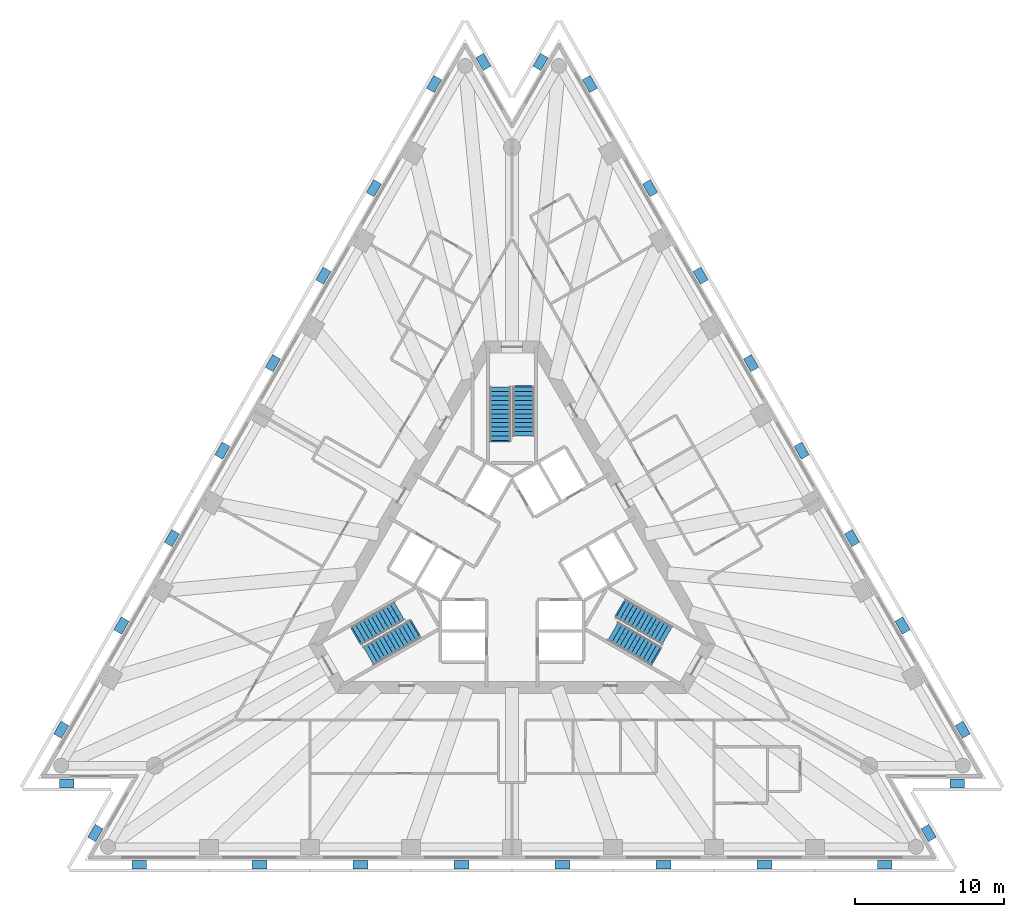
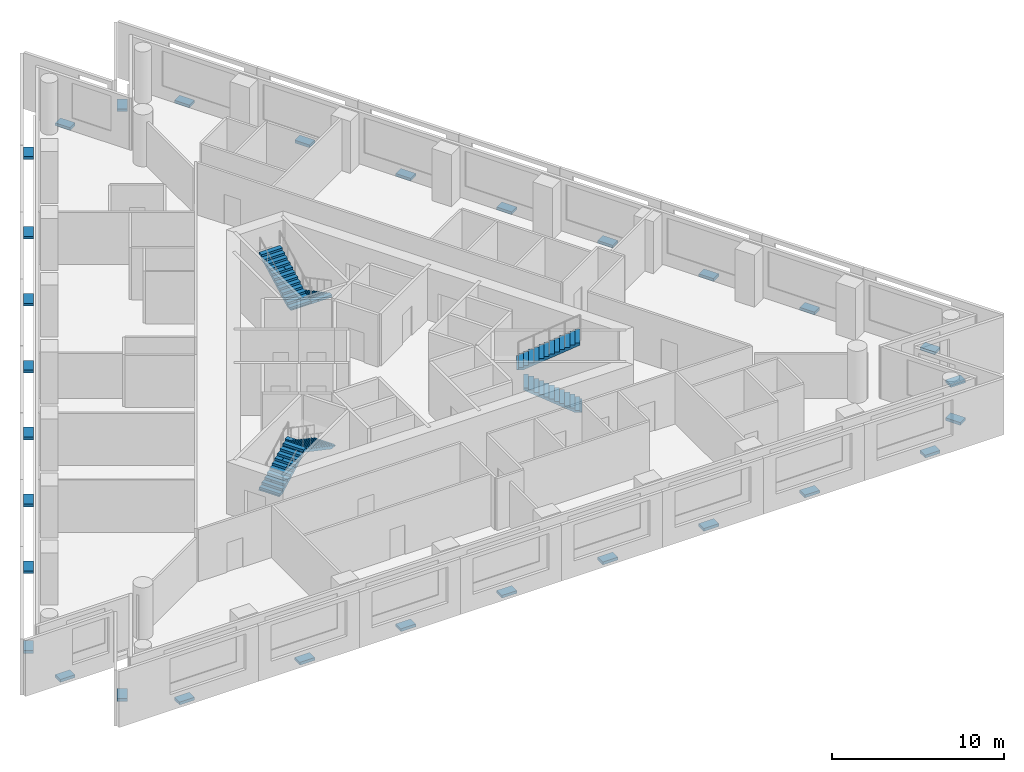
# One storey, part 7 of 9: 30 discrete accessories, 6 stair flights, 3 elements without a shape of their own.
"""IFC4 building model written with IfcOpenShell, lengths in metres."""

import ifcopenshell
import ifcopenshell.guid

model = None  # the IFC model being written
_history = None  # IfcOwnerHistory: only IFC2X3 demands one
_inside = {}  # id of a spatial element -> (the spatial element, [elements in it])
_under = {}  # id of a project, library or spatial element -> (it, [spatial elements below it])
_declared = {}  # id of a project -> (the project, [libraries it declares])
_typed = {}  # id of a type object -> (the type object, [elements of that type])
_made_of = {}  # id of a material, layer set ... -> (it, [elements and type objects made of it])


def new_model(schema):
    """Start an empty IFC model of exactly this schema.

    Asked for "IFC4X3", IfcOpenShell would pick the latest addendum, in which some entities
    have other attributes; the version numbers below select the first issue.
    IFC2X3 requires an IfcOwnerHistory on every rooted entity: one is made here for all.
    """
    global model, _history
    if schema == "IFC4X3":
        model = ifcopenshell.file(schema_version=(4, 3, 0, 0))
    else:
        model = ifcopenshell.file(schema=schema)
    _inside.clear()
    _under.clear()
    _declared.clear()
    _typed.clear()
    _made_of.clear()
    _history = None
    if model.schema == "IFC2X3":
        org = make("IfcOrganization", Name="unknown")
        user = make(
            "IfcPersonAndOrganization",
            ThePerson=make("IfcPerson", FamilyName="unknown"),
            TheOrganization=org,
        )
        app = make(
            "IfcApplication",
            ApplicationDeveloper=org,
            Version="unknown",
            ApplicationFullName="unknown",
            ApplicationIdentifier="unknown",
        )
        _history = make(
            "IfcOwnerHistory",
            OwningUser=user,
            OwningApplication=app,
            ChangeAction="ADDED",
            CreationDate=0,
        )
    return model


def make(cls, **values):
    """One entity of the class cls with the attributes given. An attribute that is None is left unset."""
    return model.create_entity(
        cls, **{name: value for name, value in values.items() if value is not None}
    )


def rooted(cls, **values):
    """An entity with a GlobalId (a new one), such as an element, a storey or a relation."""
    return make(cls, GlobalId=ifcopenshell.guid.new(), OwnerHistory=_history, **values)


def si_unit(unit_type, name, prefix=None):
    """IfcSIUnit, for example si_unit("LENGTHUNIT", "METRE", prefix="MILLI")."""
    return make("IfcSIUnit", UnitType=unit_type, Prefix=prefix, Name=name)


def assignment(units):
    """IfcUnitAssignment: the units of a project."""
    return None if units is None else make("IfcUnitAssignment", Units=units)


def point(xyz):
    """IfcCartesianPoint."""
    return None if xyz is None else make("IfcCartesianPoint", Coordinates=xyz)


def direction(xyz):
    """IfcDirection."""
    return None if xyz is None else make("IfcDirection", DirectionRatios=xyz)


def frame(location, z_axis=None, x_axis=None):
    """IfcAxis2Placement3D, a coordinate frame: its origin and axes. An axis left out is left unset."""
    return make(
        "IfcAxis2Placement3D",
        Location=point(location),
        Axis=direction(z_axis),
        RefDirection=direction(x_axis),
    )


def frame_2d(location, x_axis=None):
    """IfcAxis2Placement2D, a coordinate frame in the plane: its origin and x axis."""
    return make(
        "IfcAxis2Placement2D", Location=point(location), RefDirection=direction(x_axis)
    )


def origin():
    """The frame at (0, 0, 0) with its axes left unset."""
    return frame((0.0, 0.0, 0.0))


def origin_2d():
    """The frame at (0, 0) in the plane with its x axis left unset."""
    return frame_2d((0.0, 0.0))


def place(relative_to, where):
    """IfcLocalPlacement: puts the frame where relative to a parent placement (None: the world)."""
    return make(
        "IfcLocalPlacement", PlacementRelTo=relative_to, RelativePlacement=where
    )


def context(
    kind, dimensions, precision=None, world=None, true_north=None, identifier=None
):
    """IfcGeometricRepresentationContext, for example the 3D "Model" context."""
    return make(
        "IfcGeometricRepresentationContext",
        ContextIdentifier=identifier,
        ContextType=kind,
        CoordinateSpaceDimension=dimensions,
        Precision=precision,
        WorldCoordinateSystem=world,
        TrueNorth=true_north,
    )


def subcontext(parent, identifier, kind, view, scale=None):
    """IfcGeometricRepresentationSubContext, for example "Body" below "Model"."""
    return make(
        "IfcGeometricRepresentationSubContext",
        ContextIdentifier=identifier,
        ContextType=kind,
        ParentContext=parent,
        TargetScale=scale,
        TargetView=view,
    )


def project(units=None, contexts=None):
    """IfcProject with its units and contexts."""
    return rooted(
        "IfcProject",
        Name="project",
        RepresentationContexts=contexts,
        UnitsInContext=assignment(units),
    )


def spatial(cls, under=None, at=None, **own):
    """A site, building, storey or space (cls), placed at a placement, below another one or the project."""
    s = rooted(cls, ObjectPlacement=at, **own)
    if under is not None:
        _under.setdefault(under.id(), (under, []))[1].append(s)
    return s


def polyline(points):
    """IfcPolyline through the points."""
    return make("IfcPolyline", Points=[point(p) for p in points])


def profile(cls, at=None, kind="AREA", **sizes):
    """A parametric profile (cls). Its sizes go by their IFC names, for example OverallWidth=200.0."""
    return make(cls, ProfileType=kind, Position=at, **sizes)


def rectangle(**sizes):
    """IfcRectangleProfileDef."""
    return profile("IfcRectangleProfileDef", **sizes)


def outline(outer, holes=None, kind="AREA"):
    """IfcArbitraryClosedProfileDef: a profile drawn as a closed curve; with holes, ...WithVoids."""
    if holes is None:
        return make("IfcArbitraryClosedProfileDef", ProfileType=kind, OuterCurve=outer)
    return make(
        "IfcArbitraryProfileDefWithVoids",
        ProfileType=kind,
        OuterCurve=outer,
        InnerCurves=holes,
    )


def extrude(swept, where, along, depth):
    """IfcExtrudedAreaSolid: the profile swept, set in the frame where, extruded along a direction by depth."""
    return make(
        "IfcExtrudedAreaSolid",
        SweptArea=swept,
        Position=where,
        ExtrudedDirection=direction(along),
        Depth=depth,
    )


def shape(context_of_items, identifier, shape_type, items):
    """IfcShapeRepresentation: the items that make up one representation, for example the "Body"."""
    return make(
        "IfcShapeRepresentation",
        ContextOfItems=context_of_items,
        RepresentationIdentifier=identifier,
        RepresentationType=shape_type,
        Items=items,
    )


def material(Name=None, Category=None):
    """IfcMaterial."""
    return make("IfcMaterial", Name=Name, Category=Category)


def made_of(thing, what):
    """Note that an element or type object is made of a material, layer set ...; save() writes the relation."""
    if what is not None:
        _made_of.setdefault(what.id(), (what, []))[1].append(thing)
    return thing


def type_object(cls, material=None, **own):
    """A type object (cls), such as IfcWallType, which elements share."""
    return made_of(rooted(cls, **own), material)


def element(
    cls,
    number,
    at=None,
    inside=None,
    cuts=None,
    type_object=None,
    material=None,
    context=None,
    identifier="Body",
    shape_type=None,
    held_by="IfcProductDefinitionShape",
    body=None,
    shapes=None,
    **own,
):
    """One element of the class cls, such as IfcWall. Its Tag is "e" and its number.

    at: its placement. inside: the storey or other place that contains it. cuts: it is an
    opening in that element (IfcRelVoidsElement). A single representation is given by context,
    identifier, shape_type and body (its items); several are given by shapes. held_by: the class
    of the entity that holds the representations. save() writes the other relations.
    """
    e = rooted(cls, Tag="e%d" % number, ObjectPlacement=at, **own)
    if body is not None:
        shapes = [shape(context, identifier, shape_type, body)]
    if shapes is not None:
        e.Representation = make(held_by, Representations=shapes)
    if inside is not None:
        _inside.setdefault(inside.id(), (inside, []))[1].append(e)
    if cuts is not None:
        rooted(
            "IfcRelVoidsElement", RelatingBuildingElement=cuts, RelatedOpeningElement=e
        )
    if type_object is not None:
        _typed.setdefault(type_object.id(), (type_object, []))[1].append(e)
    return made_of(e, material)


def aggregate(whole, parts):
    """IfcRelAggregates: a whole, such as a stair, and the parts it consists of."""
    return rooted("IfcRelAggregates", RelatingObject=whole, RelatedObjects=parts)


def save(model, path):
    """Write the relations noted so far, then the file.

    IfcRelAggregates (storeys below a building ...), IfcRelContainedInSpatialStructure (elements
    in a storey), IfcRelDefinesByType, IfcRelAssociatesMaterial and IfcRelDeclares: one each for
    every whole, place, type object, material and project.
    """
    for whole, parts in _under.values():
        aggregate(whole, parts)
    for where, things in _inside.values():
        rooted(
            "IfcRelContainedInSpatialStructure",
            RelatedElements=things,
            RelatingStructure=where,
        )
    for kind, things in _typed.values():
        rooted("IfcRelDefinesByType", RelatedObjects=things, RelatingType=kind)
    for what, things in _made_of.values():
        rooted("IfcRelAssociatesMaterial", RelatedObjects=things, RelatingMaterial=what)
    for by, libraries in _declared.values():
        rooted("IfcRelDeclares", RelatingContext=by, RelatedDefinitions=libraries)
    model.write(path)


model = new_model("IFC4")

# Units and contexts
model_context = context("Model", 3, precision=1e-05, world=origin(), true_north=direction((0.0, 1.0)))
body_context = subcontext(model_context, "Body", "Model", "MODEL_VIEW")
ifc_project = project(units=[si_unit("LENGTHUNIT", "METRE"), si_unit("AREAUNIT", "SQUARE_METRE"), si_unit("VOLUMEUNIT", "CUBIC_METRE"), si_unit("PLANEANGLEUNIT", "RADIAN"), si_unit("MASSUNIT", "GRAM", prefix="KILO")], contexts=[model_context])

# Site, building, storey
site_placement = place(None, origin())
site = spatial("IfcSite", under=ifc_project, at=site_placement, CompositionType="ELEMENT")
building_placement = place(site_placement, origin())
building = spatial("IfcBuilding", under=site, at=building_placement, Name="Triada Interchange Tower", CompositionType="ELEMENT")
storey_placement = place(building_placement, frame((0.0, 0.0, 128.300048828125)))
storey = spatial("IfcBuildingStorey", under=building, at=storey_placement, Name="L29", CompositionType="ELEMENT", Elevation=128.300048828125)

# Stair, stair flights
ifc_material_1 = material(Name="Concrete C35/45", Category="concrete")
stair_type = type_object("IfcStairType", Name="HALF TURN STAIR 1400", PredefinedType="HALF_TURN_STAIR", material=ifc_material_1)
stair_1_placement = place(storey_placement, origin())
stair_1 = element("IfcStair", 1, at=stair_1_placement, inside=storey, type_object=stair_type, Name="Exit stair S29-1", PredefinedType="HALF_TURN_STAIR")
stair_flight_type = type_object("IfcStairFlightType", Name="STRAIGHT STAIR FLIGHT 1400", PredefinedType="STRAIGHT", material=ifc_material_1)
stair_flight_1_placement = place(storey_placement, frame((0.800048828125, 11.60009765625, 0.0), z_axis=(0.0, 0.0, 1.0), x_axis=(0.0, -1.0, 0.0)))
stair_flight_1 = element("IfcStairFlight", 2, at=stair_flight_1_placement, type_object=stair_flight_type, Name="S29-1 flight 1", NumberOfRisers=12, NumberOfTreads=11, PredefinedType="STRAIGHT", RiserHeight=0.16, TreadLength=0.3, context=body_context, shape_type="SweptSolid", body=[
    extrude(outline(polyline([(-0.10009765625, 0.0), (-0.10009765625, 0.02001953125), (0.0, 0.02001953125), (0.0, 0.159912109375), (0.300048828125, 0.159912109375), (0.300048828125, 0.320068359375), (0.60009765625, 0.320068359375), (0.60009765625, 0.47998046875), (0.89990234375, 0.47998046875), (0.89990234375, 0.639892578125), (1.199951171875, 0.639892578125), (1.199951171875, 0.800048828125), (1.5, 0.800048828125), (1.5, 0.9599609375), (1.800048828125, 0.9599609375), (1.800048828125, 1.1201171875), (2.10009765625, 1.1201171875), (2.10009765625, 1.280029296875), (2.39990234375, 1.280029296875), (2.39990234375, 1.43994140625), (2.699951171875, 1.43994140625), (2.699951171875, 1.60009765625), (3.0, 1.60009765625), (3.0, 1.760009765625), (3.300048828125, 1.760009765625), (3.303955078125, 1.760009765625), (3.303955078125, 1.919921875), (3.303955078125, 1.590087890625), (0.318603515625, 0.0), (-0.10009765625, 0.0)])), frame((0.0, 0.699951171875, 0.0), z_axis=(0.0, -1.0, 0.0), x_axis=(1.0, 0.0, 0.0)), (0.0, 0.0, 1.0), 0.46533203125),
    extrude(outline(polyline([(-0.10009765625, 0.0), (-0.10009765625, 0.02001953125), (0.0, 0.02001953125), (0.0, 0.159912109375), (0.300048828125, 0.159912109375), (0.300048828125, 0.320068359375), (0.60009765625, 0.320068359375), (0.60009765625, 0.47998046875), (0.89990234375, 0.47998046875), (0.89990234375, 0.639892578125), (1.199951171875, 0.639892578125), (1.199951171875, 0.800048828125), (1.5, 0.800048828125), (1.5, 0.9599609375), (1.800048828125, 0.9599609375), (1.800048828125, 1.1201171875), (2.10009765625, 1.1201171875), (2.10009765625, 1.280029296875), (2.39990234375, 1.280029296875), (2.39990234375, 1.43994140625), (2.699951171875, 1.43994140625), (2.699951171875, 1.60009765625), (3.0, 1.60009765625), (3.0, 1.760009765625), (3.300048828125, 1.760009765625), (3.303955078125, 1.760009765625), (3.303955078125, 1.919921875), (3.303955078125, 1.590087890625), (0.318603515625, 0.0), (-0.10009765625, 0.0)])), frame((0.0, 0.232666015625, 0.0), z_axis=(0.0, -1.0, 0.0), x_axis=(1.0, 0.0, 0.0)), (0.0, 0.0, 1.0), 0.46533203125),
    extrude(outline(polyline([(-0.10009765625, 0.0), (-0.10009765625, 0.02001953125), (0.0, 0.02001953125), (0.0, 0.159912109375), (0.300048828125, 0.159912109375), (0.300048828125, 0.320068359375), (0.60009765625, 0.320068359375), (0.60009765625, 0.47998046875), (0.89990234375, 0.47998046875), (0.89990234375, 0.639892578125), (1.199951171875, 0.639892578125), (1.199951171875, 0.800048828125), (1.5, 0.800048828125), (1.5, 0.9599609375), (1.800048828125, 0.9599609375), (1.800048828125, 1.1201171875), (2.10009765625, 1.1201171875), (2.10009765625, 1.280029296875), (2.39990234375, 1.280029296875), (2.39990234375, 1.43994140625), (2.699951171875, 1.43994140625), (2.699951171875, 1.60009765625), (3.0, 1.60009765625), (3.0, 1.760009765625), (3.300048828125, 1.760009765625), (3.303955078125, 1.760009765625), (3.303955078125, 1.919921875), (3.303955078125, 1.590087890625), (0.318603515625, 0.0), (-0.10009765625, 0.0)])), frame((0.0, -0.234619140625, 0.0), z_axis=(0.0, -1.0, 0.0), x_axis=(1.0, 0.0, 0.0)), (0.0, 0.0, 1.0), 0.46533203125),
])
stair_flight_2_placement = place(storey_placement, frame((-0.800048828125, 8.0, 1.919921875), z_axis=(0.0, 0.0, 1.0), x_axis=(0.0, 1.0, 0.0)))
stair_flight_2 = element("IfcStairFlight", 3, at=stair_flight_2_placement, type_object=stair_flight_type, Name="S29-1 flight 2", NumberOfRisers=13, NumberOfTreads=12, PredefinedType="STRAIGHT", RiserHeight=0.16, TreadLength=0.3, context=body_context, shape_type="SweptSolid", body=[
    extrude(outline(polyline([(-0.10009765625, 0.0), (-0.10009765625, 0.02001953125), (0.0, 0.02001953125), (0.0, 0.159912109375), (0.300048828125, 0.159912109375), (0.300048828125, 0.320068359375), (0.60009765625, 0.320068359375), (0.60009765625, 0.47998046875), (0.89990234375, 0.47998046875), (0.89990234375, 0.639892578125), (1.199951171875, 0.639892578125), (1.199951171875, 0.800048828125), (1.5, 0.800048828125), (1.5, 0.9599609375), (1.800048828125, 0.9599609375), (1.800048828125, 1.1201171875), (2.10009765625, 1.1201171875), (2.10009765625, 1.280029296875), (2.39990234375, 1.280029296875), (2.39990234375, 1.43994140625), (2.699951171875, 1.43994140625), (2.699951171875, 1.60009765625), (3.0, 1.60009765625), (3.0, 1.760009765625), (3.300048828125, 1.760009765625), (3.300048828125, 1.919921875), (3.60009765625, 1.919921875), (3.60400390625, 1.919921875), (3.60400390625, 2.080078125), (3.60400390625, 1.75), (0.318603515625, 0.0), (-0.10009765625, 0.0)])), frame((0.0, 0.699951171875, 0.0), z_axis=(0.0, -1.0, 0.0), x_axis=(1.0, 0.0, 0.0)), (0.0, 0.0, 1.0), 0.46533203125),
    extrude(outline(polyline([(-0.10009765625, 0.0), (-0.10009765625, 0.02001953125), (0.0, 0.02001953125), (0.0, 0.159912109375), (0.300048828125, 0.159912109375), (0.300048828125, 0.320068359375), (0.60009765625, 0.320068359375), (0.60009765625, 0.47998046875), (0.89990234375, 0.47998046875), (0.89990234375, 0.639892578125), (1.199951171875, 0.639892578125), (1.199951171875, 0.800048828125), (1.5, 0.800048828125), (1.5, 0.9599609375), (1.800048828125, 0.9599609375), (1.800048828125, 1.1201171875), (2.10009765625, 1.1201171875), (2.10009765625, 1.280029296875), (2.39990234375, 1.280029296875), (2.39990234375, 1.43994140625), (2.699951171875, 1.43994140625), (2.699951171875, 1.60009765625), (3.0, 1.60009765625), (3.0, 1.760009765625), (3.300048828125, 1.760009765625), (3.300048828125, 1.919921875), (3.60009765625, 1.919921875), (3.60400390625, 1.919921875), (3.60400390625, 2.080078125), (3.60400390625, 1.75), (0.318603515625, 0.0), (-0.10009765625, 0.0)])), frame((0.0, 0.232666015625, 0.0), z_axis=(0.0, -1.0, 0.0), x_axis=(1.0, 0.0, 0.0)), (0.0, 0.0, 1.0), 0.46533203125),
    extrude(outline(polyline([(-0.10009765625, 0.0), (-0.10009765625, 0.02001953125), (0.0, 0.02001953125), (0.0, 0.159912109375), (0.300048828125, 0.159912109375), (0.300048828125, 0.320068359375), (0.60009765625, 0.320068359375), (0.60009765625, 0.47998046875), (0.89990234375, 0.47998046875), (0.89990234375, 0.639892578125), (1.199951171875, 0.639892578125), (1.199951171875, 0.800048828125), (1.5, 0.800048828125), (1.5, 0.9599609375), (1.800048828125, 0.9599609375), (1.800048828125, 1.1201171875), (2.10009765625, 1.1201171875), (2.10009765625, 1.280029296875), (2.39990234375, 1.280029296875), (2.39990234375, 1.43994140625), (2.699951171875, 1.43994140625), (2.699951171875, 1.60009765625), (3.0, 1.60009765625), (3.0, 1.760009765625), (3.300048828125, 1.760009765625), (3.300048828125, 1.919921875), (3.60009765625, 1.919921875), (3.60400390625, 1.919921875), (3.60400390625, 2.080078125), (3.60400390625, 1.75), (0.318603515625, 0.0), (-0.10009765625, 0.0)])), frame((0.0, -0.234619140625, 0.0), z_axis=(0.0, -1.0, 0.0), x_axis=(1.0, 0.0, 0.0)), (0.0, 0.0, 1.0), 0.46533203125),
])
aggregate(stair_1, [stair_flight_1, stair_flight_2])

stair_2_placement = place(storey_placement, origin())
stair_2 = element("IfcStair", 4, at=stair_2_placement, inside=storey, type_object=stair_type, Name="Exit stair S29-2", PredefinedType="HALF_TURN_STAIR")
stair_flight_3_placement = place(storey_placement, frame((-10.446044921875, -5.10693359375, 0.0), z_axis=(0.0, 0.0, 1.0), x_axis=(0.866025403784, 0.5, 0.0)))
stair_flight_3 = element("IfcStairFlight", 5, at=stair_flight_3_placement, type_object=stair_flight_type, Name="S29-2 flight 1", NumberOfRisers=12, NumberOfTreads=11, PredefinedType="STRAIGHT", RiserHeight=0.16, TreadLength=0.3, context=body_context, shape_type="SweptSolid", body=[
    extrude(outline(polyline([(-0.10009765625, 0.0), (-0.10009765625, 0.02001953125), (0.0, 0.02001953125), (0.0, 0.159912109375), (0.300048828125, 0.159912109375), (0.300048828125, 0.320068359375), (0.60009765625, 0.320068359375), (0.60009765625, 0.47998046875), (0.89990234375, 0.47998046875), (0.89990234375, 0.639892578125), (1.199951171875, 0.639892578125), (1.199951171875, 0.800048828125), (1.5, 0.800048828125), (1.5, 0.9599609375), (1.800048828125, 0.9599609375), (1.800048828125, 1.1201171875), (2.10009765625, 1.1201171875), (2.10009765625, 1.280029296875), (2.39990234375, 1.280029296875), (2.39990234375, 1.43994140625), (2.699951171875, 1.43994140625), (2.699951171875, 1.60009765625), (3.0, 1.60009765625), (3.0, 1.760009765625), (3.300048828125, 1.760009765625), (3.303955078125, 1.760009765625), (3.303955078125, 1.919921875), (3.303955078125, 1.590087890625), (0.318603515625, 0.0), (-0.10009765625, 0.0)])), frame((0.0, 0.699951171875, 0.0), z_axis=(0.0, -1.0, 0.0), x_axis=(1.0, 0.0, 0.0)), (0.0, 0.0, 1.0), 0.46533203125),
    extrude(outline(polyline([(-0.10009765625, 0.0), (-0.10009765625, 0.02001953125), (0.0, 0.02001953125), (0.0, 0.159912109375), (0.300048828125, 0.159912109375), (0.300048828125, 0.320068359375), (0.60009765625, 0.320068359375), (0.60009765625, 0.47998046875), (0.89990234375, 0.47998046875), (0.89990234375, 0.639892578125), (1.199951171875, 0.639892578125), (1.199951171875, 0.800048828125), (1.5, 0.800048828125), (1.5, 0.9599609375), (1.800048828125, 0.9599609375), (1.800048828125, 1.1201171875), (2.10009765625, 1.1201171875), (2.10009765625, 1.280029296875), (2.39990234375, 1.280029296875), (2.39990234375, 1.43994140625), (2.699951171875, 1.43994140625), (2.699951171875, 1.60009765625), (3.0, 1.60009765625), (3.0, 1.760009765625), (3.300048828125, 1.760009765625), (3.303955078125, 1.760009765625), (3.303955078125, 1.919921875), (3.303955078125, 1.590087890625), (0.318603515625, 0.0), (-0.10009765625, 0.0)])), frame((0.0, 0.232666015625, 0.0), z_axis=(0.0, -1.0, 0.0), x_axis=(1.0, 0.0, 0.0)), (0.0, 0.0, 1.0), 0.46533203125),
    extrude(outline(polyline([(-0.10009765625, 0.0), (-0.10009765625, 0.02001953125), (0.0, 0.02001953125), (0.0, 0.159912109375), (0.300048828125, 0.159912109375), (0.300048828125, 0.320068359375), (0.60009765625, 0.320068359375), (0.60009765625, 0.47998046875), (0.89990234375, 0.47998046875), (0.89990234375, 0.639892578125), (1.199951171875, 0.639892578125), (1.199951171875, 0.800048828125), (1.5, 0.800048828125), (1.5, 0.9599609375), (1.800048828125, 0.9599609375), (1.800048828125, 1.1201171875), (2.10009765625, 1.1201171875), (2.10009765625, 1.280029296875), (2.39990234375, 1.280029296875), (2.39990234375, 1.43994140625), (2.699951171875, 1.43994140625), (2.699951171875, 1.60009765625), (3.0, 1.60009765625), (3.0, 1.760009765625), (3.300048828125, 1.760009765625), (3.303955078125, 1.760009765625), (3.303955078125, 1.919921875), (3.303955078125, 1.590087890625), (0.318603515625, 0.0), (-0.10009765625, 0.0)])), frame((0.0, -0.234619140625, 0.0), z_axis=(0.0, -1.0, 0.0), x_axis=(1.0, 0.0, 0.0)), (0.0, 0.0, 1.0), 0.46533203125),
])
stair_flight_4_placement = place(storey_placement, frame((-6.528076171875, -4.693115234375, 1.919921875), z_axis=(0.0, 0.0, 1.0), x_axis=(-0.866025403784, -0.5, 0.0)))
stair_flight_4 = element("IfcStairFlight", 6, at=stair_flight_4_placement, type_object=stair_flight_type, Name="S29-2 flight 2", NumberOfRisers=13, NumberOfTreads=12, PredefinedType="STRAIGHT", RiserHeight=0.16, TreadLength=0.3, context=body_context, shape_type="SweptSolid", body=[
    extrude(outline(polyline([(-0.10009765625, 0.0), (-0.10009765625, 0.02001953125), (0.0, 0.02001953125), (0.0, 0.159912109375), (0.300048828125, 0.159912109375), (0.300048828125, 0.320068359375), (0.60009765625, 0.320068359375), (0.60009765625, 0.47998046875), (0.89990234375, 0.47998046875), (0.89990234375, 0.639892578125), (1.199951171875, 0.639892578125), (1.199951171875, 0.800048828125), (1.5, 0.800048828125), (1.5, 0.9599609375), (1.800048828125, 0.9599609375), (1.800048828125, 1.1201171875), (2.10009765625, 1.1201171875), (2.10009765625, 1.280029296875), (2.39990234375, 1.280029296875), (2.39990234375, 1.43994140625), (2.699951171875, 1.43994140625), (2.699951171875, 1.60009765625), (3.0, 1.60009765625), (3.0, 1.760009765625), (3.300048828125, 1.760009765625), (3.300048828125, 1.919921875), (3.60009765625, 1.919921875), (3.60400390625, 1.919921875), (3.60400390625, 2.080078125), (3.60400390625, 1.75), (0.318603515625, 0.0), (-0.10009765625, 0.0)])), frame((0.0, 0.699951171875, 0.0), z_axis=(0.0, -1.0, 0.0), x_axis=(1.0, 0.0, 0.0)), (0.0, 0.0, 1.0), 0.46533203125),
    extrude(outline(polyline([(-0.10009765625, 0.0), (-0.10009765625, 0.02001953125), (0.0, 0.02001953125), (0.0, 0.159912109375), (0.300048828125, 0.159912109375), (0.300048828125, 0.320068359375), (0.60009765625, 0.320068359375), (0.60009765625, 0.47998046875), (0.89990234375, 0.47998046875), (0.89990234375, 0.639892578125), (1.199951171875, 0.639892578125), (1.199951171875, 0.800048828125), (1.5, 0.800048828125), (1.5, 0.9599609375), (1.800048828125, 0.9599609375), (1.800048828125, 1.1201171875), (2.10009765625, 1.1201171875), (2.10009765625, 1.280029296875), (2.39990234375, 1.280029296875), (2.39990234375, 1.43994140625), (2.699951171875, 1.43994140625), (2.699951171875, 1.60009765625), (3.0, 1.60009765625), (3.0, 1.760009765625), (3.300048828125, 1.760009765625), (3.300048828125, 1.919921875), (3.60009765625, 1.919921875), (3.60400390625, 1.919921875), (3.60400390625, 2.080078125), (3.60400390625, 1.75), (0.318603515625, 0.0), (-0.10009765625, 0.0)])), frame((0.0, 0.232666015625, 0.0), z_axis=(0.0, -1.0, 0.0), x_axis=(1.0, 0.0, 0.0)), (0.0, 0.0, 1.0), 0.46533203125),
    extrude(outline(polyline([(-0.10009765625, 0.0), (-0.10009765625, 0.02001953125), (0.0, 0.02001953125), (0.0, 0.159912109375), (0.300048828125, 0.159912109375), (0.300048828125, 0.320068359375), (0.60009765625, 0.320068359375), (0.60009765625, 0.47998046875), (0.89990234375, 0.47998046875), (0.89990234375, 0.639892578125), (1.199951171875, 0.639892578125), (1.199951171875, 0.800048828125), (1.5, 0.800048828125), (1.5, 0.9599609375), (1.800048828125, 0.9599609375), (1.800048828125, 1.1201171875), (2.10009765625, 1.1201171875), (2.10009765625, 1.280029296875), (2.39990234375, 1.280029296875), (2.39990234375, 1.43994140625), (2.699951171875, 1.43994140625), (2.699951171875, 1.60009765625), (3.0, 1.60009765625), (3.0, 1.760009765625), (3.300048828125, 1.760009765625), (3.300048828125, 1.919921875), (3.60009765625, 1.919921875), (3.60400390625, 1.919921875), (3.60400390625, 2.080078125), (3.60400390625, 1.75), (0.318603515625, 0.0), (-0.10009765625, 0.0)])), frame((0.0, -0.234619140625, 0.0), z_axis=(0.0, -1.0, 0.0), x_axis=(1.0, 0.0, 0.0)), (0.0, 0.0, 1.0), 0.46533203125),
])
aggregate(stair_2, [stair_flight_3, stair_flight_4])

stair_3_placement = place(storey_placement, origin())
stair_3 = element("IfcStair", 7, at=stair_3_placement, inside=storey, type_object=stair_type, Name="Exit stair S29-3", PredefinedType="HALF_TURN_STAIR")
stair_flight_5_placement = place(storey_placement, frame((9.64599609375, -6.492919921875, 0.0), z_axis=(0.0, 0.0, 1.0), x_axis=(-0.866025403784, 0.5, 0.0)))
stair_flight_5 = element("IfcStairFlight", 8, at=stair_flight_5_placement, type_object=stair_flight_type, Name="S29-3 flight 1", NumberOfRisers=12, NumberOfTreads=11, PredefinedType="STRAIGHT", RiserHeight=0.16, TreadLength=0.3, context=body_context, shape_type="SweptSolid", body=[
    extrude(outline(polyline([(-0.10009765625, 0.0), (-0.10009765625, 0.02001953125), (0.0, 0.02001953125), (0.0, 0.159912109375), (0.300048828125, 0.159912109375), (0.300048828125, 0.320068359375), (0.60009765625, 0.320068359375), (0.60009765625, 0.47998046875), (0.89990234375, 0.47998046875), (0.89990234375, 0.639892578125), (1.199951171875, 0.639892578125), (1.199951171875, 0.800048828125), (1.5, 0.800048828125), (1.5, 0.9599609375), (1.800048828125, 0.9599609375), (1.800048828125, 1.1201171875), (2.10009765625, 1.1201171875), (2.10009765625, 1.280029296875), (2.39990234375, 1.280029296875), (2.39990234375, 1.43994140625), (2.699951171875, 1.43994140625), (2.699951171875, 1.60009765625), (3.0, 1.60009765625), (3.0, 1.760009765625), (3.300048828125, 1.760009765625), (3.303955078125, 1.760009765625), (3.303955078125, 1.919921875), (3.303955078125, 1.590087890625), (0.318603515625, 0.0), (-0.10009765625, 0.0)])), frame((0.0, 0.699951171875, 0.0), z_axis=(0.0, -1.0, 0.0), x_axis=(1.0, 0.0, 0.0)), (0.0, 0.0, 1.0), 0.46533203125),
    extrude(outline(polyline([(-0.10009765625, 0.0), (-0.10009765625, 0.02001953125), (0.0, 0.02001953125), (0.0, 0.159912109375), (0.300048828125, 0.159912109375), (0.300048828125, 0.320068359375), (0.60009765625, 0.320068359375), (0.60009765625, 0.47998046875), (0.89990234375, 0.47998046875), (0.89990234375, 0.639892578125), (1.199951171875, 0.639892578125), (1.199951171875, 0.800048828125), (1.5, 0.800048828125), (1.5, 0.9599609375), (1.800048828125, 0.9599609375), (1.800048828125, 1.1201171875), (2.10009765625, 1.1201171875), (2.10009765625, 1.280029296875), (2.39990234375, 1.280029296875), (2.39990234375, 1.43994140625), (2.699951171875, 1.43994140625), (2.699951171875, 1.60009765625), (3.0, 1.60009765625), (3.0, 1.760009765625), (3.300048828125, 1.760009765625), (3.303955078125, 1.760009765625), (3.303955078125, 1.919921875), (3.303955078125, 1.590087890625), (0.318603515625, 0.0), (-0.10009765625, 0.0)])), frame((0.0, 0.232666015625, 0.0), z_axis=(0.0, -1.0, 0.0), x_axis=(1.0, 0.0, 0.0)), (0.0, 0.0, 1.0), 0.46533203125),
    extrude(outline(polyline([(-0.10009765625, 0.0), (-0.10009765625, 0.02001953125), (0.0, 0.02001953125), (0.0, 0.159912109375), (0.300048828125, 0.159912109375), (0.300048828125, 0.320068359375), (0.60009765625, 0.320068359375), (0.60009765625, 0.47998046875), (0.89990234375, 0.47998046875), (0.89990234375, 0.639892578125), (1.199951171875, 0.639892578125), (1.199951171875, 0.800048828125), (1.5, 0.800048828125), (1.5, 0.9599609375), (1.800048828125, 0.9599609375), (1.800048828125, 1.1201171875), (2.10009765625, 1.1201171875), (2.10009765625, 1.280029296875), (2.39990234375, 1.280029296875), (2.39990234375, 1.43994140625), (2.699951171875, 1.43994140625), (2.699951171875, 1.60009765625), (3.0, 1.60009765625), (3.0, 1.760009765625), (3.300048828125, 1.760009765625), (3.303955078125, 1.760009765625), (3.303955078125, 1.919921875), (3.303955078125, 1.590087890625), (0.318603515625, 0.0), (-0.10009765625, 0.0)])), frame((0.0, -0.234619140625, 0.0), z_axis=(0.0, -1.0, 0.0), x_axis=(1.0, 0.0, 0.0)), (0.0, 0.0, 1.0), 0.46533203125),
])
stair_flight_6_placement = place(storey_placement, frame((7.327880859375, -3.306884765625, 1.919921875), z_axis=(0.0, 0.0, 1.0), x_axis=(0.866025403784, -0.5, 0.0)))
stair_flight_6 = element("IfcStairFlight", 9, at=stair_flight_6_placement, type_object=stair_flight_type, Name="S29-3 flight 2", NumberOfRisers=13, NumberOfTreads=12, PredefinedType="STRAIGHT", RiserHeight=0.16, TreadLength=0.3, context=body_context, shape_type="SweptSolid", body=[
    extrude(outline(polyline([(-0.10009765625, 0.0), (-0.10009765625, 0.02001953125), (0.0, 0.02001953125), (0.0, 0.159912109375), (0.300048828125, 0.159912109375), (0.300048828125, 0.320068359375), (0.60009765625, 0.320068359375), (0.60009765625, 0.47998046875), (0.89990234375, 0.47998046875), (0.89990234375, 0.639892578125), (1.199951171875, 0.639892578125), (1.199951171875, 0.800048828125), (1.5, 0.800048828125), (1.5, 0.9599609375), (1.800048828125, 0.9599609375), (1.800048828125, 1.1201171875), (2.10009765625, 1.1201171875), (2.10009765625, 1.280029296875), (2.39990234375, 1.280029296875), (2.39990234375, 1.43994140625), (2.699951171875, 1.43994140625), (2.699951171875, 1.60009765625), (3.0, 1.60009765625), (3.0, 1.760009765625), (3.300048828125, 1.760009765625), (3.300048828125, 1.919921875), (3.60009765625, 1.919921875), (3.60400390625, 1.919921875), (3.60400390625, 2.080078125), (3.60400390625, 1.75), (0.318603515625, 0.0), (-0.10009765625, 0.0)])), frame((0.0, 0.699951171875, 0.0), z_axis=(0.0, -1.0, 0.0), x_axis=(1.0, 0.0, 0.0)), (0.0, 0.0, 1.0), 0.46533203125),
    extrude(outline(polyline([(-0.10009765625, 0.0), (-0.10009765625, 0.02001953125), (0.0, 0.02001953125), (0.0, 0.159912109375), (0.300048828125, 0.159912109375), (0.300048828125, 0.320068359375), (0.60009765625, 0.320068359375), (0.60009765625, 0.47998046875), (0.89990234375, 0.47998046875), (0.89990234375, 0.639892578125), (1.199951171875, 0.639892578125), (1.199951171875, 0.800048828125), (1.5, 0.800048828125), (1.5, 0.9599609375), (1.800048828125, 0.9599609375), (1.800048828125, 1.1201171875), (2.10009765625, 1.1201171875), (2.10009765625, 1.280029296875), (2.39990234375, 1.280029296875), (2.39990234375, 1.43994140625), (2.699951171875, 1.43994140625), (2.699951171875, 1.60009765625), (3.0, 1.60009765625), (3.0, 1.760009765625), (3.300048828125, 1.760009765625), (3.300048828125, 1.919921875), (3.60009765625, 1.919921875), (3.60400390625, 1.919921875), (3.60400390625, 2.080078125), (3.60400390625, 1.75), (0.318603515625, 0.0), (-0.10009765625, 0.0)])), frame((0.0, 0.232666015625, 0.0), z_axis=(0.0, -1.0, 0.0), x_axis=(1.0, 0.0, 0.0)), (0.0, 0.0, 1.0), 0.46533203125),
    extrude(outline(polyline([(-0.10009765625, 0.0), (-0.10009765625, 0.02001953125), (0.0, 0.02001953125), (0.0, 0.159912109375), (0.300048828125, 0.159912109375), (0.300048828125, 0.320068359375), (0.60009765625, 0.320068359375), (0.60009765625, 0.47998046875), (0.89990234375, 0.47998046875), (0.89990234375, 0.639892578125), (1.199951171875, 0.639892578125), (1.199951171875, 0.800048828125), (1.5, 0.800048828125), (1.5, 0.9599609375), (1.800048828125, 0.9599609375), (1.800048828125, 1.1201171875), (2.10009765625, 1.1201171875), (2.10009765625, 1.280029296875), (2.39990234375, 1.280029296875), (2.39990234375, 1.43994140625), (2.699951171875, 1.43994140625), (2.699951171875, 1.60009765625), (3.0, 1.60009765625), (3.0, 1.760009765625), (3.300048828125, 1.760009765625), (3.300048828125, 1.919921875), (3.60009765625, 1.919921875), (3.60400390625, 1.919921875), (3.60400390625, 2.080078125), (3.60400390625, 1.75), (0.318603515625, 0.0), (-0.10009765625, 0.0)])), frame((0.0, -0.234619140625, 0.0), z_axis=(0.0, -1.0, 0.0), x_axis=(1.0, 0.0, 0.0)), (0.0, 0.0, 1.0), 0.46533203125),
])
aggregate(stair_3, [stair_flight_5, stair_flight_6])

# Discrete accessories
ifc_material_2 = material(Name="Steel S355", Category="steel")
discrete_accessory_type = type_object("IfcDiscreteAccessoryType", Name="Steel bracket outer skin", PredefinedType="BRACKET", material=ifc_material_2)
for number, where, z_axis, x_axis, name in (
    (10, (-5.241943359375, 31.98388671875, -0.27001953125), (0.0, 0.0, 1.0), (-0.866023318108, 0.500003612479, 0.0), "Bracket L29 01"),
    (11, (-9.2890625, 24.97509765625, -0.27001953125), (0.0, 0.0, 1.0), (-0.866023318108, 0.500003612479, 0.0), "Bracket L29 02"),
    (12, (-12.68603515625, 19.092041015625, -0.27001953125), (0.0, 0.0, 1.0), (-0.866023318108, 0.500003612479, 0.0), "Bracket L29 03"),
    (13, (-16.0830078125, 13.2080078125, -0.27001953125), (0.0, 0.0, 1.0), (-0.866023318108, 0.500003612479, 0.0), "Bracket L29 04"),
    (14, (-19.47998046875, 7.323974609375, -0.27001953125), (0.0, 0.0, 1.0), (-0.866023318108, 0.500003612479, 0.0), "Bracket L29 05"),
    (15, (-22.876953125, 1.43994140625, -0.27001953125), (0.0, 0.0, 1.0), (-0.866023318108, 0.500003612479, 0.0), "Bracket L29 06"),
    (16, (-26.27392578125, -4.443115234375, -0.27001953125), (0.0, 0.0, 1.0), (-0.866023318108, 0.500003612479, 0.0), "Bracket L29 07"),
    (17, (-30.320068359375, -11.451904296875, -0.27001953125), (0.0, 0.0, 1.0), (-0.866023318108, 0.500003612479, 0.0), "Bracket L29 08"),
    (18, (-29.947021484375, -15.069091796875, -0.27001953125), (0.0, 0.0, 1.0), (0.0, -1.0, 0.0), "Bracket L29 09"),
    (19, (-28.02392578125, -18.40087890625, -0.27001953125), (0.0, 0.0, 1.0), (-0.866029836887, 0.499992321563, 0.0), "Bracket L29 10"),
    (20, (-25.077880859375, -20.531982421875, -0.27001953125), (0.0, 0.0, 1.0), (0.0, -1.0, 0.0), "Bracket L29 11"),
    (21, (-16.985107421875, -20.531982421875, -0.27001953125), (0.0, 0.0, 1.0), (0.0, -1.0, 0.0), "Bracket L29 12"),
    (22, (-10.19091796875, -20.531982421875, -0.27001953125), (0.0, 0.0, 1.0), (0.0, -1.0, 0.0), "Bracket L29 13"),
    (23, (-3.39697265625, -20.531982421875, -0.27001953125), (0.0, 0.0, 1.0), (0.0, -1.0, 0.0), "Bracket L29 14"),
    (24, (3.39697265625, -20.531982421875, -0.27001953125), (0.0, 0.0, 1.0), (0.0, -1.0, 0.0), "Bracket L29 15"),
    (25, (10.19091796875, -20.531982421875, -0.27001953125), (0.0, 0.0, 1.0), (0.0, -1.0, 0.0), "Bracket L29 16"),
    (26, (16.985107421875, -20.531982421875, -0.27001953125), (0.0, 0.0, 1.0), (0.0, -1.0, 0.0), "Bracket L29 17"),
    (27, (25.077880859375, -20.531982421875, -0.27001953125), (0.0, 0.0, 1.0), (0.0, -1.0, 0.0), "Bracket L29 18"),
    (28, (28.02392578125, -18.40087890625, -0.27001953125), (0.0, 0.0, 1.0), (0.866029836887, 0.499992321563, 0.0), "Bracket L29 19"),
    (29, (29.947021484375, -15.069091796875, -0.27001953125), (0.0, 0.0, 1.0), (0.0, -1.0, 0.0), "Bracket L29 20"),
    (30, (30.320068359375, -11.451904296875, -0.27001953125), (0.0, 0.0, 1.0), (0.866023318108, 0.500003612479, 0.0), "Bracket L29 21"),
    (31, (26.27392578125, -4.443115234375, -0.27001953125), (0.0, 0.0, 1.0), (0.866023318108, 0.500003612479, 0.0), "Bracket L29 22"),
    (32, (22.876953125, 1.43994140625, -0.27001953125), (0.0, 0.0, 1.0), (0.866023318108, 0.500003612479, 0.0), "Bracket L29 23"),
    (33, (19.47998046875, 7.323974609375, -0.27001953125), (0.0, 0.0, 1.0), (0.866023318108, 0.500003612479, 0.0), "Bracket L29 24"),
    (34, (16.0830078125, 13.2080078125, -0.27001953125), (0.0, 0.0, 1.0), (0.866023318108, 0.500003612479, 0.0), "Bracket L29 25"),
    (35, (12.68603515625, 19.092041015625, -0.27001953125), (0.0, 0.0, 1.0), (0.866023318108, 0.500003612479, 0.0), "Bracket L29 26"),
    (36, (9.2890625, 24.97509765625, -0.27001953125), (0.0, 0.0, 1.0), (0.866023318108, 0.500003612479, 0.0), "Bracket L29 27"),
    (37, (5.241943359375, 31.98388671875, -0.27001953125), (0.0, 0.0, 1.0), (0.866023318108, 0.500003612479, 0.0), "Bracket L29 28"),
    (38, (1.923095703125, 33.469970703125, -0.27001953125), (0.0, 0.0, 1.0), (-0.865990198347, 0.500060972649, 0.0), "Bracket L29 29"),
    (39, (-1.923095703125, 33.469970703125, -0.27001953125), (0.0, 0.0, 1.0), (0.865990198347, 0.500060972649, 0.0), "Bracket L29 30"),
):
    element("IfcDiscreteAccessory", number, at=place(storey_placement, frame(where, z_axis=z_axis, x_axis=x_axis)), inside=storey, type_object=discrete_accessory_type, Name=name, PredefinedType="BRACKET", context=body_context, shape_type="SweptSolid", body=[
        extrude(rectangle(XDim=0.60009765625, YDim=1.0, at=origin_2d()), origin(), (0.0, 0.0, 1.0), 0.199951171875),
    ])

save(model, "model.ifc")
